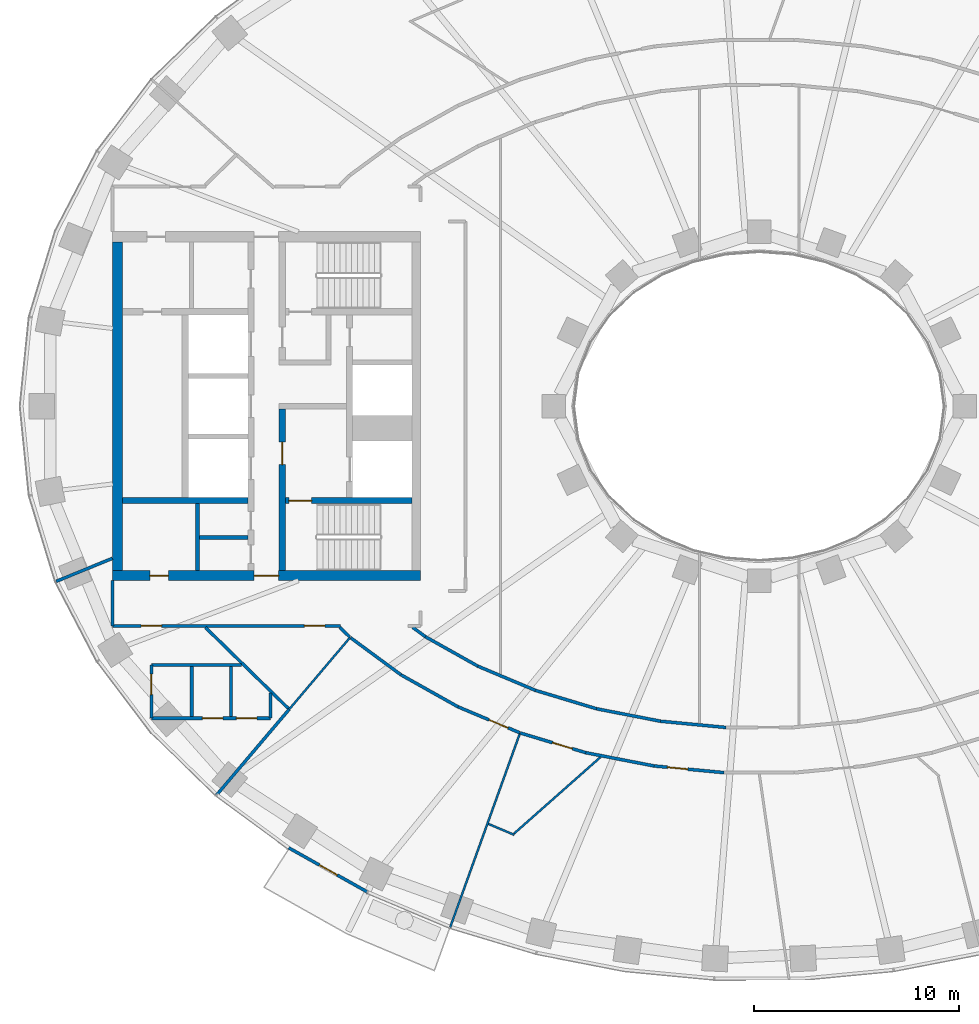
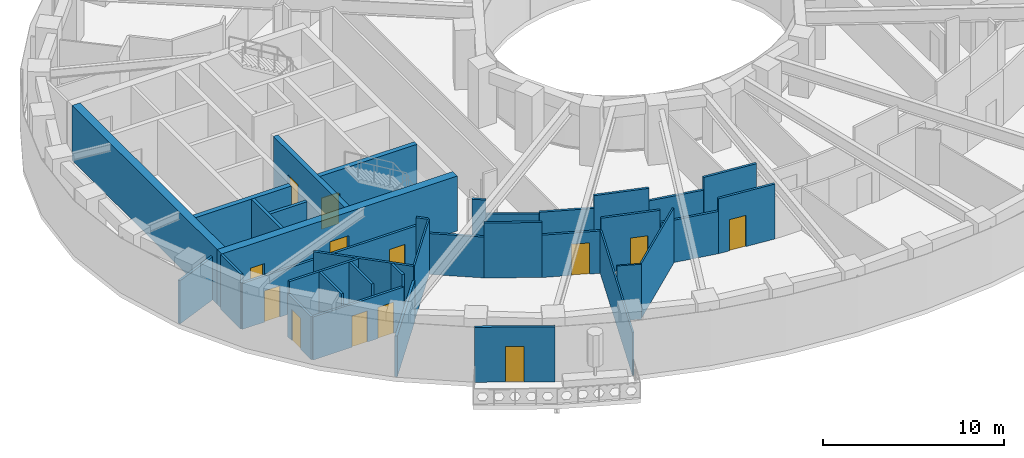
# One storey, part 3 of 16: 36 walls, 13 doors, 13 openings.
"""IFC4 building model written with IfcOpenShell, lengths in metres."""

from ifc_helpers import new_model, si_unit, direction, frame, frame_2d, origin, place, context, subcontext, project, spatial, rectangle, extrude, material, layer, layer_set, type_object, element, fill, save


model = new_model("IFC4")

# Units and contexts
model_context = context("Model", 3, precision=1e-05, world=origin(), true_north=direction((0.0, 1.0)))
body_context = subcontext(model_context, "Body", "Model", "MODEL_VIEW")
ifc_project = project(units=[si_unit("LENGTHUNIT", "METRE"), si_unit("AREAUNIT", "SQUARE_METRE"), si_unit("VOLUMEUNIT", "CUBIC_METRE"), si_unit("PLANEANGLEUNIT", "RADIAN"), si_unit("MASSUNIT", "GRAM", prefix="KILO")], contexts=[model_context])

# Site, building, storey
site_placement = place(None, origin())
site = spatial("IfcSite", under=ifc_project, at=site_placement, CompositionType="ELEMENT")
building_placement = place(site_placement, origin())
building = spatial("IfcBuilding", under=site, at=building_placement, Name="Noorbagh Ring Tower", CompositionType="ELEMENT")
storey_placement = place(building_placement, frame((0.0, 0.0, 116.0)))
storey = spatial("IfcBuildingStorey", under=building, at=storey_placement, Name="L26", CompositionType="ELEMENT", Elevation=116.0)

# Walls
ifc_material_1 = material(Name="Gypsum board on steel studs", Category="steel")
ifc_layer_1 = layer(ifc_material_1, 0.199951171875)
ifc_layer_set_1 = layer_set([ifc_layer_1], Name="Gypsum board on steel studs")
wall_type_1 = type_object("IfcWallType", Name="CORE-PARTITION-200", PredefinedType="PARTITIONING", material=ifc_layer_set_1)
wall_1_placement = place(storey_placement, frame((-27.35009765625, -8.0, 0.0), z_axis=(0.0, 0.0, 1.0), x_axis=(0.0, 1.0, 0.0)))
element("IfcWall", 1, at=wall_1_placement, inside=storey, type_object=wall_type_1, Name="Core partition W", PredefinedType="PARTITIONING", context=body_context, shape_type="SweptSolid", body=[
    extrude(rectangle(XDim=3.25, YDim=0.199951171875, at=frame_2d((1.625, 0.0))), origin(), (0.0, 0.0, 1.0), 3.699951171875),
])
wall_2_placement = place(storey_placement, frame((-24.89990234375, -6.39990234375, 0.0), z_axis=(0.0, 0.0, 1.0), x_axis=(-1.0, 0.0, 0.0)))
element("IfcWall", 2, at=wall_2_placement, inside=storey, type_object=wall_type_1, Name="Core partition W", PredefinedType="PARTITIONING", context=body_context, shape_type="SweptSolid", body=[
    extrude(rectangle(XDim=2.35009765625, YDim=0.199951171875, at=frame_2d((1.175048828125, 0.0))), origin(), (0.0, 0.0, 1.0), 3.699951171875),
])
ifc_material_2 = material(Name="Concrete C70/85", Category="concrete")
ifc_layer_2 = layer(ifc_material_2, 0.300048828125)
ifc_layer_set_2 = layer_set([ifc_layer_2], Name="Concrete C70/85")
wall_type_2 = type_object("IfcWallType", Name="CORE-WALL-300-C70-85-EI240", PredefinedType="SHEAR", material=ifc_layer_set_2)
wall_3_placement = place(storey_placement, frame((-24.89990234375, -4.60009765625, 0.0), z_axis=(0.0, 0.0, 1.0), x_axis=(-1.0, 0.0, 0.0)))
element("IfcWall", 3, at=wall_3_placement, inside=storey, type_object=wall_type_2, Name="Core wall W", PredefinedType="SHEAR", context=body_context, shape_type="SweptSolid", body=[
    extrude(rectangle(XDim=6.10009765625, YDim=0.300048828125, at=frame_2d((3.050048828125, 0.0))), origin(), (0.0, 0.0, 1.0), 3.699951171875),
])

# Wall, opening, door
wall_4_placement = place(storey_placement, frame((-23.22998046875, -8.0, 0.0), z_axis=(0.0, 0.0, 1.0), x_axis=(0.0, 1.0, 0.0)))
wall_4 = element("IfcWall", 4, at=wall_4_placement, inside=storey, type_object=wall_type_2, Name="Core wall W", PredefinedType="SHEAR", context=body_context, shape_type="SweptSolid", body=[
    extrude(rectangle(XDim=7.875, YDim=0.300048828125, at=frame_2d((3.9375, 0.0))), origin(), (0.0, 0.0, 1.0), 3.699951171875),
])
opening_1_placement = place(wall_4_placement, frame((5.14990234375, 0.0, 0.0)))
opening_1 = element("IfcOpeningElement", 5, at=opening_1_placement, cuts=wall_4, Name="Opening L26-CW07", PredefinedType="OPENING", context=body_context, shape_type="SweptSolid", body=[
    extrude(rectangle(XDim=1.10009765625, YDim=2.10009765625, at=frame_2d((0.550048828125, 1.050048828125))), frame((0.0, 0.16015625, 0.0), z_axis=(0.0, -1.0, 0.0), x_axis=(1.0, 0.0, 0.0)), (0.0, 0.0, 1.0), 0.320068359375),
])
ifc_material_3 = material(Name="Steel door leaf", Category="steel")
door_type_1 = type_object("IfcDoorType", Name="CORE-DOOR-DFF", OperationType="SINGLE_SWING_LEFT", PredefinedType="DOOR", material=ifc_material_3)
door_1_placement = place(opening_1_placement, origin())
door_1 = element("IfcDoor", 6, at=door_1_placement, inside=storey, type_object=door_type_1, Name="Firefighting lobby door L26-CW07", OperationType="SINGLE_SWING_LEFT", OverallHeight=2.10009765625, OverallWidth=1.10009765625, PredefinedType="DOOR", context=body_context, shape_type="SweptSolid", body=[
    extrude(rectangle(XDim=1.10009765625, YDim=2.10009765625, at=frame_2d((0.550048828125, 1.050048828125))), frame((0.0, 0.02490234375, 0.0), z_axis=(0.0, -1.0, 0.0), x_axis=(1.0, 0.0, 0.0)), (0.0, 0.0, 1.0), 0.050048828125),
])
fill(opening_1, door_1)

wall_5_placement = place(storey_placement, frame((-16.89990234375, -4.60009765625, 0.0), z_axis=(0.0, 0.0, 1.0), x_axis=(-1.0, 0.0, 0.0)))
wall_5 = element("IfcWall", 7, at=wall_5_placement, inside=storey, type_object=wall_type_2, Name="Core wall W", PredefinedType="SHEAR", context=body_context, shape_type="SweptSolid", body=[
    extrude(rectangle(XDim=6.18017578125, YDim=0.300048828125, at=frame_2d((3.090087890625, 0.0))), origin(), (0.0, 0.0, 1.0), 3.699951171875),
])
opening_2_placement = place(wall_5_placement, frame((4.89990234375, 0.0, 0.0)))
opening_2 = element("IfcOpeningElement", 8, at=opening_2_placement, cuts=wall_5, Name="Opening L26-CW06", PredefinedType="OPENING", context=body_context, shape_type="SweptSolid", body=[
    extrude(rectangle(XDim=1.10009765625, YDim=2.10009765625, at=frame_2d((0.550048828125, 1.050048828125))), frame((0.0, 0.16015625, 0.0), z_axis=(0.0, -1.0, 0.0), x_axis=(1.0, 0.0, 0.0)), (0.0, 0.0, 1.0), 0.320068359375),
])
ifc_material_4 = material(Name="Steel door leaf", Category="steel")
door_type_2 = type_object("IfcDoorType", Name="CORE-DOOR-DSTAIR", OperationType="SINGLE_SWING_LEFT", PredefinedType="DOOR", material=ifc_material_4)
door_2_placement = place(opening_2_placement, origin())
door_2 = element("IfcDoor", 9, at=door_2_placement, inside=storey, type_object=door_type_2, Name="Stair door ST2 L26-CW06", OperationType="SINGLE_SWING_LEFT", OverallHeight=2.10009765625, OverallWidth=1.10009765625, PredefinedType="DOOR", context=body_context, shape_type="SweptSolid", body=[
    extrude(rectangle(XDim=1.10009765625, YDim=2.10009765625, at=frame_2d((0.550048828125, 1.050048828125))), frame((0.0, 0.02490234375, 0.0), z_axis=(0.0, -1.0, 0.0), x_axis=(1.0, 0.0, 0.0)), (0.0, 0.0, 1.0), 0.050048828125),
])
fill(opening_2, door_2)

# Wall, openings, doors
ifc_material_5 = material(Name="Concrete C70/85", Category="concrete")
ifc_layer_3 = layer(ifc_material_5, 0.5)
ifc_layer_set_3 = layer_set([ifc_layer_3], Name="Concrete C70/85")
wall_type_3 = type_object("IfcWallType", Name="CORE-WALL-500-C70-85-EI240", PredefinedType="SHEAR", material=ifc_layer_set_3)
wall_6_placement = place(storey_placement, frame((-16.5, -8.25, 0.0), z_axis=(0.0, 0.0, 1.0), x_axis=(-1.0, 0.0, 0.0)))
wall_6 = element("IfcWall", 10, at=wall_6_placement, inside=storey, type_object=wall_type_3, Name="Core wall W", PredefinedType="SHEAR", context=body_context, shape_type="SweptSolid", body=[
    extrude(rectangle(XDim=15.0, YDim=0.5, at=frame_2d((7.5, 0.0))), origin(), (0.0, 0.0, 1.0), 3.699951171875),
])
opening_3_placement = place(wall_6_placement, frame((6.89990234375, 0.0, 0.0)))
opening_3 = element("IfcOpeningElement", 11, at=opening_3_placement, cuts=wall_6, Name="Opening L26-CW10", PredefinedType="OPENING", context=body_context, shape_type="SweptSolid", body=[
    extrude(rectangle(XDim=1.199951171875, YDim=2.10009765625, at=frame_2d((0.60009765625, 1.050048828125))), frame((0.0, 0.260009765625, 0.0), z_axis=(0.0, -1.0, 0.0), x_axis=(1.0, 0.0, 0.0)), (0.0, 0.0, 1.0), 0.52001953125),
])
opening_4_placement = place(wall_6_placement, frame((12.27490234375, 0.0, 0.0)))
opening_4 = element("IfcOpeningElement", 12, at=opening_4_placement, cuts=wall_6, Name="Opening L26-CW16", PredefinedType="OPENING", context=body_context, shape_type="SweptSolid", body=[
    extrude(rectangle(XDim=0.89990234375, YDim=2.10009765625, at=frame_2d((0.449951171875, 1.050048828125))), frame((0.0, 0.260009765625, 0.0), z_axis=(0.0, -1.0, 0.0), x_axis=(1.0, 0.0, 0.0)), (0.0, 0.0, 1.0), 0.52001953125),
])
ifc_material_6 = material(Name="Steel door leaf", Category="steel")
door_type_3 = type_object("IfcDoorType", Name="CORE-DOOR-DROOM", OperationType="SINGLE_SWING_LEFT", PredefinedType="DOOR", material=ifc_material_6)
door_3_placement = place(opening_4_placement, origin())
door_3 = element("IfcDoor", 13, at=door_3_placement, inside=storey, type_object=door_type_3, Name="Core room door L26-CW16", OperationType="SINGLE_SWING_LEFT", OverallHeight=2.10009765625, OverallWidth=0.89990234375, PredefinedType="DOOR", context=body_context, shape_type="SweptSolid", body=[
    extrude(rectangle(XDim=0.89990234375, YDim=2.10009765625, at=frame_2d((0.449951171875, 1.050048828125))), frame((0.0, 0.02490234375, 0.0), z_axis=(0.0, -1.0, 0.0), x_axis=(1.0, 0.0, 0.0)), (0.0, 0.0, 1.0), 0.050048828125),
])
fill(opening_4, door_3)
ifc_material_7 = material(Name="Steel door leaf", Category="steel")
door_type_4 = type_object("IfcDoorType", Name="CORE-DOOR-PORT", OperationType="DOUBLE_DOOR_DOUBLE_SWING", PredefinedType="DOOR", material=ifc_material_7)
door_4_placement = place(opening_3_placement, origin())
door_4 = element("IfcDoor", 14, at=door_4_placement, inside=storey, type_object=door_type_4, Name="Core entrance door L26-CW10", OperationType="DOUBLE_DOOR_DOUBLE_SWING", OverallHeight=2.10009765625, OverallWidth=1.199951171875, PredefinedType="DOOR", context=body_context, shape_type="SweptSolid", body=[
    extrude(rectangle(XDim=1.199951171875, YDim=2.10009765625, at=frame_2d((0.60009765625, 1.050048828125))), frame((0.0, 0.02490234375, 0.0), z_axis=(0.0, -1.0, 0.0), x_axis=(1.0, 0.0, 0.0)), (0.0, 0.0, 1.0), 0.050048828125),
])
fill(opening_3, door_4)

# Walls
wall_7_placement = place(storey_placement, frame((-31.25, -8.0, 0.0), z_axis=(0.0, 0.0, 1.0), x_axis=(0.0, 1.0, 0.0)))
element("IfcWall", 15, at=wall_7_placement, inside=storey, type_object=wall_type_3, Name="Core wall W", PredefinedType="SHEAR", context=body_context, shape_type="SweptSolid", body=[
    extrude(rectangle(XDim=16.0, YDim=0.5, at=frame_2d((8.0, 0.0))), origin(), (0.0, 0.0, 1.0), 3.699951171875),
])
ifc_material_8 = material(Name="Gypsum board on steel studs", Category="steel")
ifc_layer_4 = layer(ifc_material_8, 0.14990234375)
ifc_layer_set_4 = layer_set([ifc_layer_4], Name="Gypsum board on steel studs")
wall_type_4 = type_object("IfcWallType", Name="CORRIDOR PARTITION 150 EI 30", PredefinedType="PARTITIONING", material=ifc_layer_set_4)
wall_8_placement = place(storey_placement, frame((-34.23388671875, -8.530029296875, 0.0), z_axis=(0.0, 0.0, 1.0), x_axis=(0.925344112436, 0.379128307542, 0.0)))
element("IfcWall", 16, at=wall_8_placement, inside=storey, type_object=wall_type_4, Name="L26/wall/P01", PredefinedType="PARTITIONING", context=body_context, shape_type="SweptSolid", body=[
    extrude(rectangle(XDim=2.954345703125, YDim=0.14990234375, at=frame_2d((1.47705078125, 0.0))), origin(), (0.0, 0.0, 1.0), 2.89990234375),
])
wall_9_placement = place(storey_placement, frame((-31.5, -10.699951171875, 0.0), z_axis=(0.0, 0.0, 1.0), x_axis=(0.0, 1.0, 0.0)))
element("IfcWall", 17, at=wall_9_placement, inside=storey, type_object=wall_type_4, Name="L26/wall/P02", PredefinedType="PARTITIONING", context=body_context, shape_type="SweptSolid", body=[
    extrude(rectangle(XDim=2.199951171875, YDim=0.14990234375, at=frame_2d((1.10009765625, 0.0))), origin(), (0.0, 0.0, 1.0), 3.699951171875),
])

# Wall, openings, doors
wall_10_placement = place(storey_placement, frame((-31.5, -10.699951171875, 0.0), z_axis=(0.0, 0.0, 1.0), x_axis=(1.0, 0.0, 0.0)))
wall_10 = element("IfcWall", 18, at=wall_10_placement, inside=storey, type_object=wall_type_4, Name="L26/wall/P03", PredefinedType="PARTITIONING", context=body_context, shape_type="SweptSolid", body=[
    extrude(rectangle(XDim=11.113037109375, YDim=0.14990234375, at=frame_2d((5.556640625, 0.0))), origin(), (0.0, 0.0, 1.0), 3.10009765625),
])
opening_5_placement = place(wall_10_placement, frame((1.39990234375, 0.0, 0.0)))
opening_5 = element("IfcOpeningElement", 19, at=opening_5_placement, cuts=wall_10, Name="Opening D1", PredefinedType="OPENING", context=body_context, shape_type="SweptSolid", body=[
    extrude(rectangle(XDim=1.0, YDim=2.10009765625, at=frame_2d((0.5, 1.050048828125))), frame((0.0, 0.0849609375, 0.0), z_axis=(0.0, -1.0, 0.0), x_axis=(1.0, 0.0, 0.0)), (0.0, 0.0, 1.0), 0.169921875),
])
opening_6_placement = place(wall_10_placement, frame((9.35595703125, 0.0, 0.0)))
opening_6 = element("IfcOpeningElement", 20, at=opening_6_placement, cuts=wall_10, Name="Opening D1", PredefinedType="OPENING", context=body_context, shape_type="SweptSolid", body=[
    extrude(rectangle(XDim=1.0, YDim=2.10009765625, at=frame_2d((0.5, 1.050048828125))), frame((0.0, 0.0849609375, 0.0), z_axis=(0.0, -1.0, 0.0), x_axis=(1.0, 0.0, 0.0)), (0.0, 0.0, 1.0), 0.169921875),
])
ifc_material_9 = material(Name="Timber, painted", Category="wood")
door_type_5 = type_object("IfcDoorType", Name="DOOR 1000 X 2100 FD30", OperationType="SINGLE_SWING_LEFT", PredefinedType="DOOR", material=ifc_material_9)
door_5_placement = place(opening_5_placement, origin())
door_5 = element("IfcDoor", 21, at=door_5_placement, inside=storey, type_object=door_type_5, Name="L26-D01", OperationType="SINGLE_SWING_LEFT", OverallHeight=2.10009765625, OverallWidth=1.0, PredefinedType="DOOR", context=body_context, shape_type="SweptSolid", body=[
    extrude(rectangle(XDim=1.0, YDim=2.10009765625, at=frame_2d((0.5, 1.050048828125))), frame((0.0, 0.02490234375, 0.0), z_axis=(0.0, -1.0, 0.0), x_axis=(1.0, 0.0, 0.0)), (0.0, 0.0, 1.0), 0.050048828125),
])
fill(opening_5, door_5)
door_6_placement = place(opening_6_placement, origin())
door_6 = element("IfcDoor", 22, at=door_6_placement, inside=storey, type_object=door_type_5, Name="L26-D06", OperationType="SINGLE_SWING_RIGHT", OverallHeight=2.10009765625, OverallWidth=1.0, PredefinedType="DOOR", context=body_context, shape_type="SweptSolid", body=[
    extrude(rectangle(XDim=1.0, YDim=2.10009765625, at=frame_2d((0.5, 1.050048828125))), frame((0.0, 0.02490234375, 0.0), z_axis=(0.0, -1.0, 0.0), x_axis=(1.0, 0.0, 0.0)), (0.0, 0.0, 1.0), 0.050048828125),
])
fill(opening_6, door_6)

# Wall, opening, door
wall_11_placement = place(storey_placement, frame((-29.60498046875, -15.196044921875, 0.0), z_axis=(0.0, 0.0, 1.0), x_axis=(0.0, 1.0, 0.0)))
wall_11 = element("IfcWall", 23, at=wall_11_placement, inside=storey, type_object=wall_type_4, Name="L26/wall/P06", PredefinedType="PARTITIONING", context=body_context, shape_type="SweptSolid", body=[
    extrude(rectangle(XDim=2.595947265625, YDim=0.14990234375, at=frame_2d((1.2978515625, 0.0))), origin(), (0.0, 0.0, 1.0), 2.89990234375),
])
opening_7_placement = place(wall_11_placement, frame((1.14990234375, 0.0, 0.0)))
opening_7 = element("IfcOpeningElement", 24, at=opening_7_placement, cuts=wall_11, Name="Opening D3", PredefinedType="OPENING", context=body_context, shape_type="SweptSolid", body=[
    extrude(rectangle(XDim=1.0, YDim=2.10009765625, at=frame_2d((0.5, 1.050048828125))), frame((0.0, 0.0849609375, 0.0), z_axis=(0.0, -1.0, 0.0), x_axis=(1.0, 0.0, 0.0)), (0.0, 0.0, 1.0), 0.169921875),
])
ifc_material_10 = material(Name="Timber, painted", Category="wood")
door_type_6 = type_object("IfcDoorType", Name="DOOR 1000 X 2100 WC", OperationType="SINGLE_SWING_LEFT", PredefinedType="DOOR", material=ifc_material_10)
door_7_placement = place(opening_7_placement, origin())
door_7 = element("IfcDoor", 25, at=door_7_placement, inside=storey, type_object=door_type_6, Name="L26-D02", OperationType="SINGLE_SWING_RIGHT", OverallHeight=2.10009765625, OverallWidth=1.0, PredefinedType="DOOR", context=body_context, shape_type="SweptSolid", body=[
    extrude(rectangle(XDim=1.0, YDim=2.10009765625, at=frame_2d((0.5, 1.050048828125))), frame((0.0, 0.02490234375, 0.0), z_axis=(0.0, -1.0, 0.0), x_axis=(1.0, 0.0, 0.0)), (0.0, 0.0, 1.0), 0.050048828125),
])
fill(opening_7, door_7)

# Wall
wall_12_placement = place(storey_placement, frame((-29.60498046875, -12.60009765625, 0.0), z_axis=(0.0, 0.0, 1.0), x_axis=(1.0, 0.0, 0.0)))
element("IfcWall", 26, at=wall_12_placement, inside=storey, type_object=wall_type_4, Name="L26/wall/P07", PredefinedType="PARTITIONING", context=body_context, shape_type="SweptSolid", body=[
    extrude(rectangle(XDim=4.39306640625, YDim=0.14990234375, at=frame_2d((2.196533203125, 0.0))), origin(), (0.0, 0.0, 1.0), 3.699951171875),
])

# Wall, openings, doors
wall_13_placement = place(storey_placement, frame((-29.60107421875, -15.199951171875, 0.0), z_axis=(0.0, 0.0, 1.0), x_axis=(1.0, 0.0, 0.0)))
wall_13 = element("IfcWall", 27, at=wall_13_placement, inside=storey, type_object=wall_type_4, Name="L26/wall/P08", PredefinedType="PARTITIONING", context=body_context, shape_type="SweptSolid", body=[
    extrude(rectangle(XDim=5.7919921875, YDim=0.14990234375, at=frame_2d((2.89599609375, 0.0))), origin(), (0.0, 0.0, 1.0), 2.89990234375),
])
opening_8_placement = place(wall_13_placement, frame((2.48193359375, 0.0, 0.0)))
opening_8 = element("IfcOpeningElement", 28, at=opening_8_placement, cuts=wall_13, Name="Opening D3", PredefinedType="OPENING", context=body_context, shape_type="SweptSolid", body=[
    extrude(rectangle(XDim=1.0, YDim=2.10009765625, at=frame_2d((0.5, 1.050048828125))), frame((0.0, 0.0849609375, 0.0), z_axis=(0.0, -1.0, 0.0), x_axis=(1.0, 0.0, 0.0)), (0.0, 0.0, 1.0), 0.169921875),
])
opening_9_placement = place(wall_13_placement, frame((4.14208984375, 0.0, 0.0)))
opening_9 = element("IfcOpeningElement", 29, at=opening_9_placement, cuts=wall_13, Name="Opening D3", PredefinedType="OPENING", context=body_context, shape_type="SweptSolid", body=[
    extrude(rectangle(XDim=1.0, YDim=2.10009765625, at=frame_2d((0.5, 1.050048828125))), frame((0.0, 0.0849609375, 0.0), z_axis=(0.0, -1.0, 0.0), x_axis=(1.0, 0.0, 0.0)), (0.0, 0.0, 1.0), 0.169921875),
])
door_8_placement = place(opening_8_placement, origin())
door_8 = element("IfcDoor", 30, at=door_8_placement, inside=storey, type_object=door_type_6, Name="L26-D03", OperationType="SINGLE_SWING_LEFT", OverallHeight=2.10009765625, OverallWidth=1.0, PredefinedType="DOOR", context=body_context, shape_type="SweptSolid", body=[
    extrude(rectangle(XDim=1.0, YDim=2.10009765625, at=frame_2d((0.5, 1.050048828125))), frame((0.0, 0.02490234375, 0.0), z_axis=(0.0, -1.0, 0.0), x_axis=(1.0, 0.0, 0.0)), (0.0, 0.0, 1.0), 0.050048828125),
])
fill(opening_8, door_8)
door_9_placement = place(opening_9_placement, origin())
door_9 = element("IfcDoor", 31, at=door_9_placement, inside=storey, type_object=door_type_6, Name="L26-D04", OperationType="SINGLE_SWING_RIGHT", OverallHeight=2.10009765625, OverallWidth=1.0, PredefinedType="DOOR", context=body_context, shape_type="SweptSolid", body=[
    extrude(rectangle(XDim=1.0, YDim=2.10009765625, at=frame_2d((0.5, 1.050048828125))), frame((0.0, 0.02490234375, 0.0), z_axis=(0.0, -1.0, 0.0), x_axis=(1.0, 0.0, 0.0)), (0.0, 0.0, 1.0), 0.050048828125),
])
fill(opening_9, door_9)

# Walls
wall_14_placement = place(storey_placement, frame((-27.633056640625, -15.125, 0.0), z_axis=(0.0, 0.0, 1.0), x_axis=(0.0, 1.0, 0.0)))
element("IfcWall", 32, at=wall_14_placement, inside=storey, type_object=wall_type_4, Name="L26/wall/P10", PredefinedType="PARTITIONING", context=body_context, shape_type="SweptSolid", body=[
    extrude(rectangle(XDim=2.449951171875, YDim=0.14990234375, at=frame_2d((1.22509765625, 0.0))), origin(), (0.0, 0.0, 1.0), 3.699951171875),
])
wall_15_placement = place(storey_placement, frame((-26.965087890625, -10.778076171875, 0.0), z_axis=(0.0, 0.0, 1.0), x_axis=(0.715154119379, -0.698966798593, 0.0)))
element("IfcWall", 33, at=wall_15_placement, inside=storey, type_object=wall_type_4, Name="L26/wall/P11", PredefinedType="PARTITIONING", context=body_context, shape_type="SweptSolid", body=[
    extrude(rectangle(XDim=5.701171875, YDim=0.14990234375, at=frame_2d((2.8505859375, 0.0))), origin(), (0.0, 0.0, 1.0), 3.699951171875),
])
wall_16_placement = place(storey_placement, frame((-26.429931640625, -18.945068359375, 0.0), z_axis=(0.0, 0.0, 1.0), x_axis=(0.646289642104, 0.763092195288, 0.0)))
element("IfcWall", 34, at=wall_16_placement, inside=storey, type_object=wall_type_4, Name="L26/wall/P13", PredefinedType="PARTITIONING", context=body_context, shape_type="SweptSolid", body=[
    extrude(rectangle(XDim=5.48046875, YDim=0.14990234375, at=frame_2d((2.740234375, 0.0))), origin(), (0.0, 0.0, 1.0), 2.75),
])
wall_17_placement = place(storey_placement, frame((-25.718994140625, -15.125, 0.0), z_axis=(0.0, 0.0, 1.0), x_axis=(0.0, 1.0, 0.0)))
element("IfcWall", 35, at=wall_17_placement, inside=storey, type_object=wall_type_4, Name="L26/wall/P14", PredefinedType="PARTITIONING", context=body_context, shape_type="SweptSolid", body=[
    extrude(rectangle(XDim=2.449951171875, YDim=0.14990234375, at=frame_2d((1.22509765625, 0.0))), origin(), (0.0, 0.0, 1.0), 3.699951171875),
])
wall_18_placement = place(storey_placement, frame((-23.804931640625, -15.196044921875, 0.0), z_axis=(0.0, 0.0, 1.0), x_axis=(0.0, 1.0, 0.0)))
element("IfcWall", 36, at=wall_18_placement, inside=storey, type_object=wall_type_4, Name="L26/wall/P16", PredefinedType="PARTITIONING", context=body_context, shape_type="SweptSolid", body=[
    extrude(rectangle(XDim=1.219970703125, YDim=0.14990234375, at=frame_2d((0.60986328125, 0.0))), origin(), (0.0, 0.0, 1.0), 3.699951171875),
])
wall_19_placement = place(storey_placement, frame((-20.41796875, -10.77490234375, 0.0), z_axis=(0.0, 0.0, 1.0), x_axis=(0.717145300924, -0.69692368116, 0.0)))
element("IfcWall", 37, at=wall_19_placement, inside=storey, type_object=wall_type_4, Name="L26/wall/P19", PredefinedType="PARTITIONING", context=body_context, shape_type="SweptSolid", body=[
    extrude(rectangle(XDim=0.676025390625, YDim=0.14990234375, at=frame_2d((0.337890625, 0.0))), origin(), (0.0, 0.0, 1.0), 3.699951171875),
])
wall_20_placement = place(storey_placement, frame((-19.903076171875, -11.27197265625, 0.0), z_axis=(0.0, 0.0, 1.0), x_axis=(0.805228684186, -0.592964388613, 0.0)))
element("IfcWall", 38, at=wall_20_placement, inside=storey, type_object=wall_type_4, Name="L26/wall/P22", PredefinedType="PARTITIONING", context=body_context, shape_type="SweptSolid", body=[
    extrude(rectangle(XDim=3.052490234375, YDim=0.14990234375, at=frame_2d((1.5263671875, 0.0))), origin(), (0.0, 0.0, 1.0), 2.75),
])
wall_21_placement = place(storey_placement, frame((-17.445068359375, -13.08203125, 0.0), z_axis=(0.0, 0.0, 1.0), x_axis=(0.872072095629, -0.489377420837, 0.0)))
element("IfcWall", 39, at=wall_21_placement, inside=storey, type_object=wall_type_4, Name="L26/wall/P23", PredefinedType="PARTITIONING", context=body_context, shape_type="SweptSolid", body=[
    extrude(rectangle(XDim=3.187744140625, YDim=0.14990234375, at=frame_2d((1.59375, 0.0))), origin(), (0.0, 0.0, 1.0), 3.699951171875),
])
wall_22_placement = place(storey_placement, frame((-16.866943359375, -10.77490234375, 0.0), z_axis=(0.0, 0.0, 1.0), x_axis=(0.804751563869, -0.593611759023, 0.0)))
element("IfcWall", 40, at=wall_22_placement, inside=storey, type_object=wall_type_4, Name="L26/wall/P28", PredefinedType="PARTITIONING", context=body_context, shape_type="SweptSolid", body=[
    extrude(rectangle(XDim=0.7666015625, YDim=0.14990234375, at=frame_2d((0.38330078125, 0.0))), origin(), (0.0, 0.0, 1.0), 3.699951171875),
])
wall_23_placement = place(storey_placement, frame((-16.25, -11.22998046875, 0.0), z_axis=(0.0, 0.0, 1.0), x_axis=(0.872147381065, -0.489243237767, 0.0)))
element("IfcWall", 41, at=wall_23_placement, inside=storey, type_object=wall_type_4, Name="L26/wall/P33", PredefinedType="PARTITIONING", context=body_context, shape_type="SweptSolid", body=[
    extrude(rectangle(XDim=2.92724609375, YDim=0.14990234375, at=frame_2d((1.463623046875, 0.0))), origin(), (0.0, 0.0, 1.0), 2.75),
])

# Wall, opening, door
wall_24_placement = place(storey_placement, frame((-14.6650390625, -14.64208984375, 0.0), z_axis=(0.0, 0.0, 1.0), x_axis=(0.921850993012, -0.387544509293, 0.0)))
wall_24 = element("IfcWall", 42, at=wall_24_placement, inside=storey, type_object=wall_type_4, Name="L26/wall/P38", PredefinedType="PARTITIONING", context=body_context, shape_type="SweptSolid", body=[
    extrude(rectangle(XDim=3.2587890625, YDim=0.14990234375, at=frame_2d((1.62939453125, 0.0))), origin(), (0.0, 0.0, 1.0), 2.85009765625),
])
opening_10_placement = place(wall_24_placement, frame((1.64990234375, 0.0, 0.0)))
opening_10 = element("IfcOpeningElement", 43, at=opening_10_placement, cuts=wall_24, Name="Opening D1", PredefinedType="OPENING", context=body_context, shape_type="SweptSolid", body=[
    extrude(rectangle(XDim=1.0, YDim=2.10009765625, at=frame_2d((0.5, 1.050048828125))), frame((0.0, 0.0849609375, 0.0), z_axis=(0.0, -1.0, 0.0), x_axis=(1.0, 0.0, 0.0)), (0.0, 0.0, 1.0), 0.169921875),
])
door_10_placement = place(opening_10_placement, origin())
door_10 = element("IfcDoor", 44, at=door_10_placement, inside=storey, type_object=door_type_5, Name="L26-D08", OperationType="SINGLE_SWING_RIGHT", OverallHeight=2.10009765625, OverallWidth=1.0, PredefinedType="DOOR", context=body_context, shape_type="SweptSolid", body=[
    extrude(rectangle(XDim=1.0, YDim=2.10009765625, at=frame_2d((0.5, 1.050048828125))), frame((0.0, 0.02490234375, 0.0), z_axis=(0.0, -1.0, 0.0), x_axis=(1.0, 0.0, 0.0)), (0.0, 0.0, 1.0), 0.050048828125),
])
fill(opening_10, door_10)

# Wall
wall_25_placement = place(storey_placement, frame((-13.697021484375, -12.662109375, 0.0), z_axis=(0.0, 0.0, 1.0), x_axis=(0.921751821358, -0.387780324183, 0.0)))
element("IfcWall", 45, at=wall_25_placement, inside=storey, type_object=wall_type_4, Name="L26/wall/P41", PredefinedType="PARTITIONING", context=body_context, shape_type="SweptSolid", body=[
    extrude(rectangle(XDim=3.037841796875, YDim=0.14990234375, at=frame_2d((1.51904296875, 0.0))), origin(), (0.0, 0.0, 1.0), 2.85009765625),
])

# Wall, opening, door
wall_26_placement = place(storey_placement, frame((-11.64306640625, -15.9130859375, 0.0), z_axis=(0.0, 0.0, 1.0), x_axis=(0.957584891346, -0.288151307243, 0.0)))
wall_26 = element("IfcWall", 46, at=wall_26_placement, inside=storey, type_object=wall_type_4, Name="L26/wall/P46", PredefinedType="PARTITIONING", context=body_context, shape_type="SweptSolid", body=[
    extrude(rectangle(XDim=3.344970703125, YDim=0.14990234375, at=frame_2d((1.67236328125, 0.0))), origin(), (0.0, 0.0, 1.0), 3.699951171875),
])
opening_11_placement = place(wall_26_placement, frame((1.64990234375, 0.0, 0.0)))
opening_11 = element("IfcOpeningElement", 47, at=opening_11_placement, cuts=wall_26, Name="Opening D1", PredefinedType="OPENING", context=body_context, shape_type="SweptSolid", body=[
    extrude(rectangle(XDim=1.0, YDim=2.10009765625, at=frame_2d((0.5, 1.050048828125))), frame((0.0, 0.0849609375, 0.0), z_axis=(0.0, -1.0, 0.0), x_axis=(1.0, 0.0, 0.0)), (0.0, 0.0, 1.0), 0.169921875),
])
door_11_placement = place(opening_11_placement, origin())
door_11 = element("IfcDoor", 48, at=door_11_placement, inside=storey, type_object=door_type_5, Name="L26-D10", OperationType="SINGLE_SWING_RIGHT", OverallHeight=2.10009765625, OverallWidth=1.0, PredefinedType="DOOR", context=body_context, shape_type="SweptSolid", body=[
    extrude(rectangle(XDim=1.0, YDim=2.10009765625, at=frame_2d((0.5, 1.050048828125))), frame((0.0, 0.02490234375, 0.0), z_axis=(0.0, -1.0, 0.0), x_axis=(1.0, 0.0, 0.0)), (0.0, 0.0, 1.0), 0.050048828125),
])
fill(opening_11, door_11)

# Walls
wall_27_placement = place(storey_placement, frame((-10.89697265625, -13.840087890625, 0.0), z_axis=(0.0, 0.0, 1.0), x_axis=(0.957606118849, -0.28808075455, 0.0)))
element("IfcWall", 49, at=wall_27_placement, inside=storey, type_object=wall_type_4, Name="L26/wall/P48", PredefinedType="PARTITIONING", context=body_context, shape_type="SweptSolid", body=[
    extrude(rectangle(XDim=3.116943359375, YDim=0.14990234375, at=frame_2d((1.55859375, 0.0))), origin(), (0.0, 0.0, 1.0), 3.699951171875),
])
wall_28_placement = place(storey_placement, frame((-8.43994140625, -16.876953125, 0.0), z_axis=(0.0, 0.0, 1.0), x_axis=(0.981665220565, -0.190613207134, 0.0)))
element("IfcWall", 50, at=wall_28_placement, inside=storey, type_object=wall_type_4, Name="L26/wall/P51", PredefinedType="PARTITIONING", context=body_context, shape_type="SweptSolid", body=[
    extrude(rectangle(XDim=3.38916015625, YDim=0.14990234375, at=frame_2d((1.694580078125, 0.0))), origin(), (0.0, 0.0, 1.0), 2.85009765625),
])
wall_29_placement = place(storey_placement, frame((-7.912109375, -14.738037109375, 0.0), z_axis=(0.0, 0.0, 1.0), x_axis=(0.981588545092, -0.191007665145, 0.0)))
element("IfcWall", 51, at=wall_29_placement, inside=storey, type_object=wall_type_4, Name="L26/wall/P53", PredefinedType="PARTITIONING", context=body_context, shape_type="SweptSolid", body=[
    extrude(rectangle(XDim=3.17236328125, YDim=0.14990234375, at=frame_2d((1.586181640625, 0.0))), origin(), (0.0, 0.0, 1.0), 2.85009765625),
])

# Wall, opening, door
wall_30_placement = place(storey_placement, frame((-5.113037109375, -17.52294921875, 0.0), z_axis=(0.0, 0.0, 1.0), x_axis=(0.995466844572, -0.095109207532, 0.0)))
wall_30 = element("IfcWall", 52, at=wall_30_placement, inside=storey, type_object=wall_type_4, Name="L26/wall/P55", PredefinedType="PARTITIONING", context=body_context, shape_type="SweptSolid", body=[
    extrude(rectangle(XDim=3.41650390625, YDim=0.14990234375, at=frame_2d((1.708251953125, 0.0))), origin(), (0.0, 0.0, 1.0), 3.699951171875),
])
opening_12_placement = place(wall_30_placement, frame((0.64990234375, 0.0, 0.0)))
opening_12 = element("IfcOpeningElement", 53, at=opening_12_placement, cuts=wall_30, Name="Opening D1", PredefinedType="OPENING", context=body_context, shape_type="SweptSolid", body=[
    extrude(rectangle(XDim=1.0, YDim=2.10009765625, at=frame_2d((0.5, 1.050048828125))), frame((0.0, 0.0849609375, 0.0), z_axis=(0.0, -1.0, 0.0), x_axis=(1.0, 0.0, 0.0)), (0.0, 0.0, 1.0), 0.169921875),
])
door_12_placement = place(opening_12_placement, origin())
door_12 = element("IfcDoor", 54, at=door_12_placement, inside=storey, type_object=door_type_5, Name="L26-D11", OperationType="SINGLE_SWING_LEFT", OverallHeight=2.10009765625, OverallWidth=1.0, PredefinedType="DOOR", context=body_context, shape_type="SweptSolid", body=[
    extrude(rectangle(XDim=1.0, YDim=2.10009765625, at=frame_2d((0.5, 1.050048828125))), frame((0.0, 0.02490234375, 0.0), z_axis=(0.0, -1.0, 0.0), x_axis=(1.0, 0.0, 0.0)), (0.0, 0.0, 1.0), 0.050048828125),
])
fill(opening_12, door_12)

# Wall
wall_31_placement = place(storey_placement, frame((-4.798095703125, -15.343994140625, 0.0), z_axis=(0.0, 0.0, 1.0), x_axis=(0.995491705426, -0.09484863957, 0.0)))
element("IfcWall", 55, at=wall_31_placement, inside=storey, type_object=wall_type_4, Name="L26/wall/P57", PredefinedType="PARTITIONING", context=body_context, shape_type="SweptSolid", body=[
    extrude(rectangle(XDim=3.20458984375, YDim=0.14990234375, at=frame_2d((1.602294921875, 0.0))), origin(), (0.0, 0.0, 1.0), 3.699951171875),
])

# Wall, opening, door
ifc_material_11 = material(Name="Insulated aluminium clad panel", Category="aluminium")
ifc_layer_5 = layer(ifc_material_11, 0.14990234375)
ifc_layer_set_5 = layer_set([ifc_layer_5], Name="Insulated aluminium clad panel")
wall_type_5 = type_object("IfcWallType", Name="ENV-WALL-DOOR", PredefinedType="STANDARD", material=ifc_layer_set_5)
wall_32_placement = place(storey_placement, frame((-22.913330078125, -21.508544921875, 0.0), z_axis=(0.0, 0.0, 1.0), x_axis=(0.872046572975, -0.489422899509, 0.0)))
wall_32 = element("IfcWall", 56, at=wall_32_placement, inside=storey, type_object=wall_type_5, Name="Balcony door wall chord 30", PredefinedType="STANDARD", context=body_context, shape_type="SweptSolid", body=[
    extrude(rectangle(XDim=4.425537109375, YDim=0.14990234375, at=frame_2d((2.212890625, 0.0))), origin(), (0.0, 0.0, 1.0), 3.699951171875),
])
opening_13_placement = place(wall_32_placement, frame((1.712646484375, 0.0, 0.0)))
opening_13 = element("IfcOpeningElement", 57, at=opening_13_placement, cuts=wall_32, Name="Opening D-BL", PredefinedType="OPENING", context=body_context, shape_type="SweptSolid", body=[
    extrude(rectangle(XDim=1.0, YDim=2.39990234375, at=frame_2d((0.5, 1.199951171875))), frame((0.0, 0.0849609375, 0.0), z_axis=(0.0, -1.0, 0.0), x_axis=(1.0, 0.0, 0.0)), (0.0, 0.0, 1.0), 0.169921875),
])
ifc_material_12 = material(Name="Aluminium and glass", Category="aluminium")
door_type_7 = type_object("IfcDoorType", Name="ENV-DOOR-BALCONY", OperationType="SINGLE_SWING_LEFT", PredefinedType="DOOR", material=ifc_material_12)
door_13_placement = place(opening_13_placement, origin())
door_13 = element("IfcDoor", 58, at=door_13_placement, inside=storey, type_object=door_type_7, Name="Balcony door chord 30", OperationType="SINGLE_SWING_LEFT", OverallHeight=2.39990234375, OverallWidth=1.0, PredefinedType="DOOR", context=body_context, shape_type="SweptSolid", body=[
    extrude(rectangle(XDim=1.0, YDim=2.39990234375, at=frame_2d((0.5, 1.199951171875))), frame((0.0, 0.02490234375, 0.0), z_axis=(0.0, -1.0, 0.0), x_axis=(1.0, 0.0, 0.0)), (0.0, 0.0, 1.0), 0.050048828125),
])
fill(opening_13, door_13)

# Walls
ifc_material_13 = material(Name="Gypsum board on steel studs", Category="steel")
ifc_layer_6 = layer(ifc_material_13, 0.10009765625)
ifc_layer_set_6 = layer_set([ifc_layer_6], Name="Gypsum board on steel studs")
wall_type_6 = type_object("IfcWallType", Name="PARTITION 100 GYPSUM", PredefinedType="PARTITIONING", material=ifc_layer_set_6)
wall_33_placement = place(storey_placement, frame((-22.887939453125, -14.762939453125, 0.0), z_axis=(0.0, 0.0, 1.0), x_axis=(0.646640834677, 0.7627946191, 0.0)))
element("IfcWall", 59, at=wall_33_placement, inside=storey, type_object=wall_type_6, Name="L26/wall/P18", PredefinedType="PARTITIONING", context=body_context, shape_type="SweptSolid", body=[
    extrude(rectangle(XDim=4.58837890625, YDim=0.10009765625, at=frame_2d((2.294189453125, 0.0))), origin(), (0.0, 0.0, 1.0), 3.699951171875),
])
wall_34_placement = place(storey_placement, frame((-15.048095703125, -25.383056640625, 0.0), z_axis=(0.0, 0.0, 1.0), x_axis=(0.338391154788, 0.941005540027, 0.0)))
element("IfcWall", 60, at=wall_34_placement, inside=storey, type_object=wall_type_6, Name="L26/wall/P37", PredefinedType="PARTITIONING", context=body_context, shape_type="SweptSolid", body=[
    extrude(rectangle(XDim=10.0595703125, YDim=0.10009765625, at=frame_2d((5.02978515625, 0.0))), origin(), (0.0, 0.0, 1.0), 2.89990234375),
])
wall_35_placement = place(storey_placement, frame((-13.18408203125, -20.345947265625, 0.0), z_axis=(0.0, 0.0, 1.0), x_axis=(0.920969723526, -0.389634146794, 0.0)))
element("IfcWall", 61, at=wall_35_placement, inside=storey, type_object=wall_type_6, Name="L26/wall/P43", PredefinedType="PARTITIONING", context=body_context, shape_type="SweptSolid", body=[
    extrude(rectangle(XDim=1.36279296875, YDim=0.10009765625, at=frame_2d((0.681396484375, 0.0))), origin(), (0.0, 0.0, 1.0), 3.699951171875),
])
wall_36_placement = place(storey_placement, frame((-11.93798828125, -20.818115234375, 0.0), z_axis=(0.0, 0.0, 1.0), x_axis=(0.749089420646, 0.662468897289, 0.0)))
element("IfcWall", 62, at=wall_36_placement, inside=storey, type_object=wall_type_6, Name="L26/wall/P45", PredefinedType="PARTITIONING", context=body_context, shape_type="SweptSolid", body=[
    extrude(rectangle(XDim=5.6201171875, YDim=0.10009765625, at=frame_2d((2.81005859375, 0.0))), origin(), (0.0, 0.0, 1.0), 3.699951171875),
])

save(model, "model.ifc")
